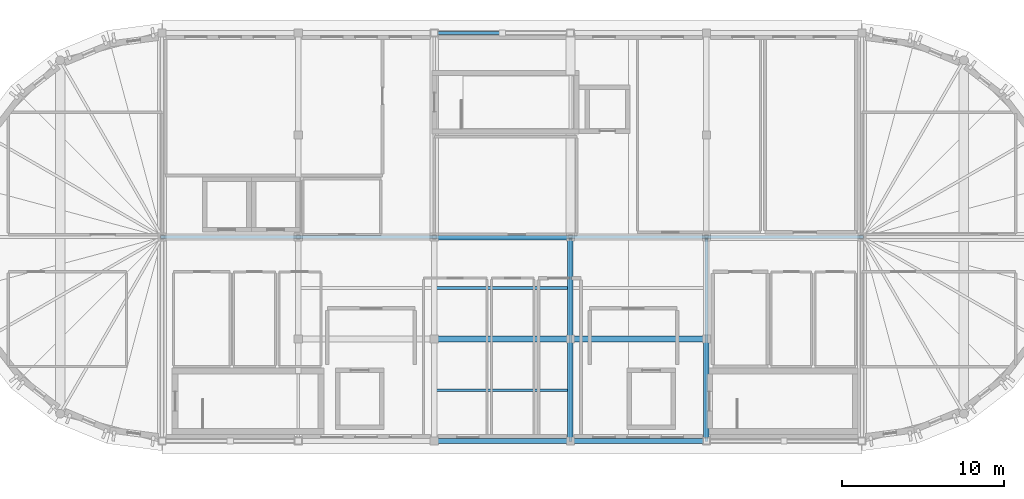
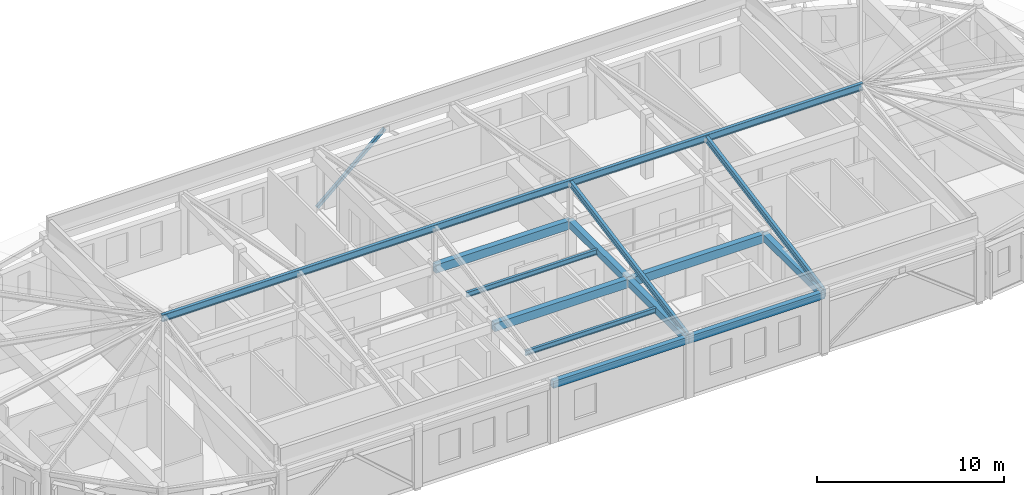
# One storey, part 3 of 11: 13 beams, 1 member.
"""IFC4 building model written with IfcOpenShell, lengths in metres."""

from ifc_helpers import new_model, si_unit, direction, frame, origin, origin_2d, place, context, subcontext, project, spatial, rectangle, hollow_rectangle, i_section, extrude, material, material_profile, profile_set, type_object, element, save


model = new_model("IFC4")

# Units and contexts
model_context = context("Model", 3, precision=1e-05, world=origin(), true_north=direction((0.0, 1.0)))
body_context = subcontext(model_context, "Body", "Model", "MODEL_VIEW")
ifc_project = project(units=[si_unit("LENGTHUNIT", "METRE"), si_unit("AREAUNIT", "SQUARE_METRE"), si_unit("VOLUMEUNIT", "CUBIC_METRE"), si_unit("PLANEANGLEUNIT", "RADIAN"), si_unit("MASSUNIT", "GRAM", prefix="KILO")], contexts=[model_context])

# Site, building, storey
site_placement = place(None, origin())
site = spatial("IfcSite", under=ifc_project, at=site_placement, CompositionType="ELEMENT")
building_placement = place(site_placement, origin())
building = spatial("IfcBuilding", under=site, at=building_placement, Name="Tarnavel Promenade Courthouse", CompositionType="ELEMENT")
storey_placement = place(building_placement, frame((0.0, 0.0, 35.39990234375)))
storey = spatial("IfcBuildingStorey", under=building, at=storey_placement, Name="L09", CompositionType="ELEMENT", Elevation=35.39990234375)

# Beams
ifc_material_1 = material(Name="Concrete C40/50", Category="concrete")
ifc_material_profile_1 = material_profile(ifc_material_1, rectangle(XDim=0.35009765625, YDim=0.449951171875, at=origin_2d()), Name="RC 350x450")
ifc_profile_set_1 = profile_set([ifc_material_profile_1], Name="Concrete C40/50")
beam_type_1 = type_object("IfcBeamType", Name="Concrete C40/50 BM-RC-350x450 (RC 350x450)", PredefinedType="BEAM", material=ifc_profile_set_1)
for number, where, z_axis, x_axis, name in (
    (1, (84.0, 79.199951171875, 3.735107421875), (0.0, 1.0, 0.0), (-1.0, 0.0, 0.0), "L09 Transverse Girder 2667"),
    (2, (84.0, 85.5, 3.735107421875), (0.0, 1.0, 0.0), (-1.0, 0.0, 0.0), "L09 Transverse Girder 2668"),
    (3, (92.39990234375, 79.199951171875, 3.735107421875), (0.0, 1.0, 0.0), (-1.0, 0.0, 0.0), "L09 Transverse Girder 2671"),
):
    element("IfcBeam", number, at=place(storey_placement, frame(where, z_axis=z_axis, x_axis=x_axis)), inside=storey, type_object=beam_type_1, Name=name, PredefinedType="BEAM", context=body_context, shape_type="SweptSolid", body=[
        extrude(rectangle(XDim=0.35009765625, YDim=0.449951171875, at=origin_2d()), origin(), (0.0, 0.0, 1.0), 6.300048828125),
    ])
ifc_material_profile_2 = material_profile(ifc_material_1, rectangle(XDim=0.35009765625, YDim=0.550048828125, at=origin_2d()), Name="RC 350x550")
ifc_profile_set_2 = profile_set([ifc_material_profile_2], Name="Concrete C40/50")
beam_type_2 = type_object("IfcBeamType", Name="Concrete C40/50 BM-RC-350x550 (RC 350x550)", PredefinedType="BEAM", material=ifc_profile_set_2)
for number, where, z_axis, x_axis, name in (
    (4, (75.60009765625, 85.5, 3.68505859375), (1.0, 0.0, 0.0), (0.0, 1.0, 0.0), "L09 Primary Longitudinal Beam 2643"),
    (5, (84.0, 85.5, 3.68505859375), (1.0, 0.0, 0.0), (0.0, 1.0, 0.0), "L09 Primary Longitudinal Beam 2644"),
    (6, (75.60009765625, 91.800048828125, 3.68505859375), (1.0, 0.0, 0.0), (0.0, 1.0, 0.0), "L09 Primary Longitudinal Beam 2647"),
):
    element("IfcBeam", number, at=place(storey_placement, frame(where, z_axis=z_axis, x_axis=x_axis)), inside=storey, type_object=beam_type_2, Name=name, PredefinedType="BEAM", context=body_context, shape_type="SweptSolid", body=[
        extrude(rectangle(XDim=0.35009765625, YDim=0.550048828125, at=origin_2d()), origin(), (0.0, 0.0, 1.0), 8.39990234375),
    ])
ifc_material_profile_3 = material_profile(ifc_material_1, rectangle(XDim=0.300048828125, YDim=0.449951171875, at=origin_2d()), Name="RC 300x450")
ifc_profile_set_3 = profile_set([ifc_material_profile_3], Name="Concrete C40/50")
beam_type_3 = type_object("IfcBeamType", Name="Concrete C40/50 BM-SP-300x450 (RC 300x450)", PredefinedType="SPANDREL", material=ifc_profile_set_3)
for number, where, z_axis, x_axis, name in (
    (7, (75.60009765625, 79.199951171875, 3.735107421875), (1.0, 0.0, 0.0), (0.0, 1.0, 0.0), "L09 Primary Longitudinal Beam 2639"),
    (8, (84.0, 79.199951171875, 3.735107421875), (1.0, 0.0, 0.0), (0.0, 1.0, 0.0), "L09 Primary Longitudinal Beam 2640"),
):
    element("IfcBeam", number, at=place(storey_placement, frame(where, z_axis=z_axis, x_axis=x_axis)), inside=storey, type_object=beam_type_3, Name=name, PredefinedType="SPANDREL", context=body_context, shape_type="SweptSolid", body=[
        extrude(rectangle(XDim=0.300048828125, YDim=0.449951171875, at=origin_2d()), origin(), (0.0, 0.0, 1.0), 8.39990234375),
    ])
ifc_material_2 = material(Name="Steel S355J2", Category="steel")
ifc_material_profile_4 = material_profile(ifc_material_2, i_section(OverallWidth=0.159912109375, OverallDepth=0.330078125, WebThickness=0.007568359375, FlangeThickness=0.011474609375, FilletRadius=0.01806640625, at=origin_2d()), Name="IPE 330")
ifc_profile_set_4 = profile_set([ifc_material_profile_4], Name="Steel S355J2")
beam_type_4 = type_object("IfcBeamType", Name="Steel S355J2 BM-ST-IPE330 (IPE 330)", PredefinedType="JOIST", material=ifc_profile_set_4)
for number, where, z_axis, x_axis, name in (
    (9, (75.7451171875, 88.64990234375, 3.795166015625), (1.0, 0.0, 0.0), (0.0, 1.0, 0.0), "L09 Secondary Floor Rib 2680"),
    (10, (75.7451171875, 82.35009765625, 3.795166015625), (1.0, 0.0, 0.0), (0.0, 1.0, 0.0), "L09 Secondary Floor Rib 2682"),
):
    element("IfcBeam", number, at=place(storey_placement, frame(where, z_axis=z_axis, x_axis=x_axis)), inside=storey, type_object=beam_type_4, Name=name, PredefinedType="JOIST", context=body_context, shape_type="SweptSolid", body=[
        extrude(i_section(OverallWidth=0.159912109375, OverallDepth=0.330078125, WebThickness=0.007568359375, FlangeThickness=0.011474609375, FilletRadius=0.01806640625, at=origin_2d()), origin(), (0.0, 0.0, 1.0), 8.10986328125),
    ])
ifc_material_profile_5 = material_profile(ifc_material_2, i_section(OverallWidth=0.179931640625, OverallDepth=0.39990234375, WebThickness=0.008544921875, FlangeThickness=0.013427734375, FilletRadius=0.02099609375, at=origin_2d()), Name="IPE 400")
ifc_profile_set_5 = profile_set([ifc_material_profile_5], Name="Steel S355J2")
beam_type_5 = type_object("IfcBeamType", Name="Steel S355J2 BM-ST-IPE400 (IPE 400)", PredefinedType="BEAM", material=ifc_profile_set_5)
for number, where, z_axis, x_axis, name in (
    (11, (84.0, 79.199951171875, 3.9501953125), (0.0, 0.982512246655, 0.186197973063), (-1.0, 0.0, 0.0), "L09 Bar Roof Rafter S"),
    (12, (92.39990234375, 79.199951171875, 3.9501953125), (0.0, 0.982512246655, 0.186197973063), (-1.0, 0.0, 0.0), "L09 Bar Roof Rafter S"),
):
    element("IfcBeam", number, at=place(storey_placement, frame(where, z_axis=z_axis, x_axis=x_axis)), inside=storey, type_object=beam_type_5, Name=name, PredefinedType="BEAM", context=body_context, shape_type="SweptSolid", body=[
        extrude(i_section(OverallWidth=0.179931640625, OverallDepth=0.39990234375, WebThickness=0.008544921875, FlangeThickness=0.013427734375, FilletRadius=0.02099609375, at=origin_2d()), origin(), (0.0, 0.0, 1.0), 12.727783203125),
    ])
ifc_material_profile_6 = material_profile(ifc_material_2, i_section(OverallWidth=0.18994140625, OverallDepth=0.449951171875, WebThickness=0.009521484375, FlangeThickness=0.0146484375, FilletRadius=0.02099609375, at=origin_2d()), Name="IPE 450")
ifc_profile_set_6 = profile_set([ifc_material_profile_6], Name="Steel S355J2")
beam_type_6 = type_object("IfcBeamType", Name="Steel S355J2 BM-ST-IPE450 (IPE 450)", PredefinedType="BEAM", material=ifc_profile_set_6)
beam_placement = place(storey_placement, frame((58.699951171875, 91.800048828125, 6.320068359375), z_axis=(1.0, 0.0, 0.0), x_axis=(0.0, 1.0, 0.0)))
element("IfcBeam", 13, at=beam_placement, inside=storey, type_object=beam_type_6, Name="L09 Bar Roof Ridge Beam", PredefinedType="BEAM", context=body_context, shape_type="SweptSolid", body=[
    extrude(i_section(OverallWidth=0.18994140625, OverallDepth=0.449951171875, WebThickness=0.009521484375, FlangeThickness=0.0146484375, FilletRadius=0.02099609375, at=origin_2d()), origin(), (0.0, 0.0, 1.0), 43.400146484375),
])

# Member
ifc_material_profile_7 = material_profile(ifc_material_2, hollow_rectangle(XDim=0.199951171875, YDim=0.199951171875, WallThickness=0.012451171875, InnerFilletRadius=0.012451171875, OuterFilletRadius=0.02490234375, at=origin_2d()), Name="SHS 200x200x12.5")
ifc_profile_set_7 = profile_set([ifc_material_profile_7], Name="Steel S355J2")
member_type = type_object("IfcMemberType", Name="Steel S355J2 MEM-BR-SHS200 (SHS 200x200x12.5)", PredefinedType="BRACE", material=ifc_profile_set_7)
member_placement = place(storey_placement, frame((75.60009765625, 104.39990234375, 0.0), z_axis=(0.749451235067, 0.0, 0.662059548876), x_axis=(0.0, 1.0, 0.0)))
element("IfcMember", 14, at=member_placement, inside=storey, type_object=member_type, Name="L09 V5 Chevron Brace A 027", PredefinedType="BRACE", context=body_context, shape_type="SweptSolid", body=[
    extrude(hollow_rectangle(XDim=0.199951171875, YDim=0.199951171875, WallThickness=0.012451171875, InnerFilletRadius=0.012451171875, OuterFilletRadius=0.02490234375, at=origin_2d()), origin(), (0.0, 0.0, 1.0), 5.60400390625),
])

save(model, "model.ifc")
